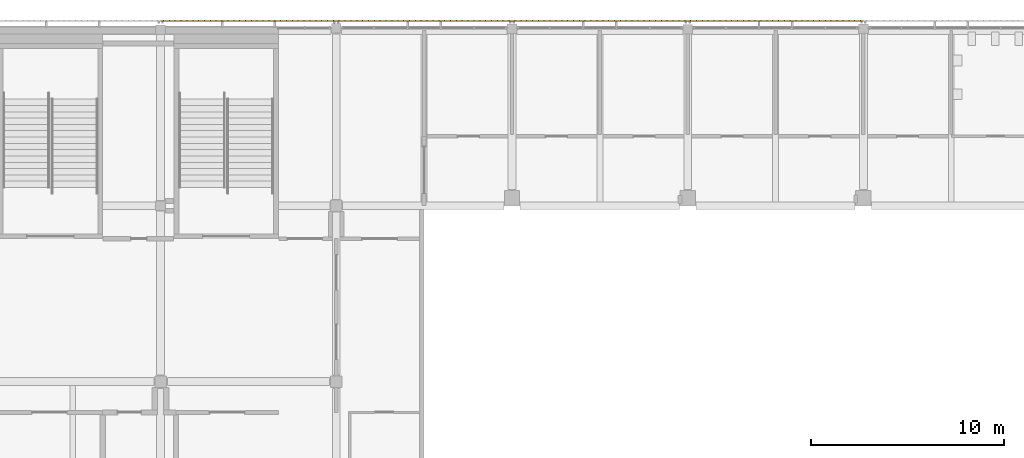
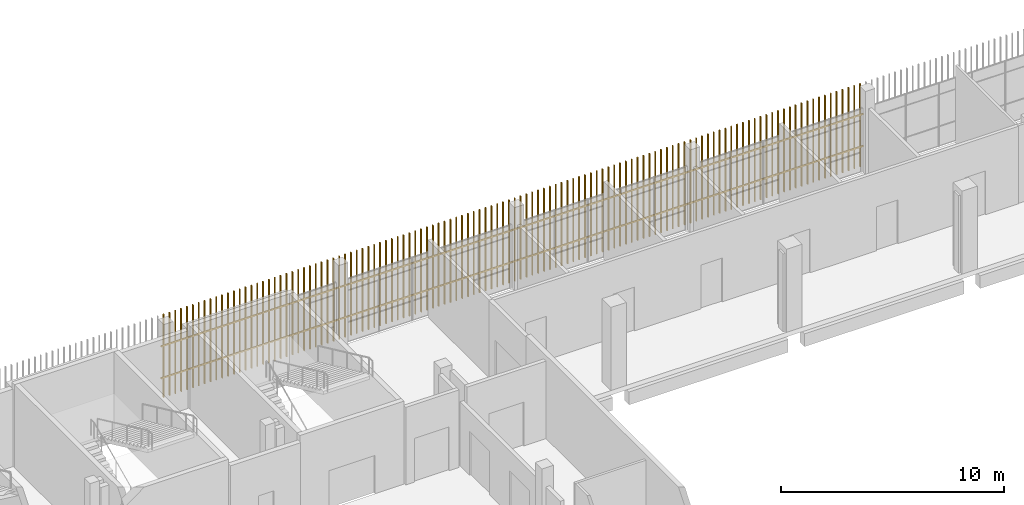
# One storey, part 113 of 124: 4 shading devices.
"""IFC4 building model written with IfcOpenShell, lengths in metres."""

import ifcopenshell
import ifcopenshell.guid

model = None  # the IFC model being written
_history = None  # IfcOwnerHistory: only IFC2X3 demands one
_inside = {}  # id of a spatial element -> (the spatial element, [elements in it])
_under = {}  # id of a project, library or spatial element -> (it, [spatial elements below it])
_declared = {}  # id of a project -> (the project, [libraries it declares])
_typed = {}  # id of a type object -> (the type object, [elements of that type])
_made_of = {}  # id of a material, layer set ... -> (it, [elements and type objects made of it])


def new_model(schema):
    """Start an empty IFC model of exactly this schema.

    Asked for "IFC4X3", IfcOpenShell would pick the latest addendum, in which some entities
    have other attributes; the version numbers below select the first issue.
    IFC2X3 requires an IfcOwnerHistory on every rooted entity: one is made here for all.
    """
    global model, _history
    if schema == "IFC4X3":
        model = ifcopenshell.file(schema_version=(4, 3, 0, 0))
    else:
        model = ifcopenshell.file(schema=schema)
    _inside.clear()
    _under.clear()
    _declared.clear()
    _typed.clear()
    _made_of.clear()
    _history = None
    if model.schema == "IFC2X3":
        org = make("IfcOrganization", Name="unknown")
        user = make(
            "IfcPersonAndOrganization",
            ThePerson=make("IfcPerson", FamilyName="unknown"),
            TheOrganization=org,
        )
        app = make(
            "IfcApplication",
            ApplicationDeveloper=org,
            Version="unknown",
            ApplicationFullName="unknown",
            ApplicationIdentifier="unknown",
        )
        _history = make(
            "IfcOwnerHistory",
            OwningUser=user,
            OwningApplication=app,
            ChangeAction="ADDED",
            CreationDate=0,
        )
    return model


def make(cls, **values):
    """One entity of the class cls with the attributes given. An attribute that is None is left unset."""
    return model.create_entity(
        cls, **{name: value for name, value in values.items() if value is not None}
    )


def rooted(cls, **values):
    """An entity with a GlobalId (a new one), such as an element, a storey or a relation."""
    return make(cls, GlobalId=ifcopenshell.guid.new(), OwnerHistory=_history, **values)


def si_unit(unit_type, name, prefix=None):
    """IfcSIUnit, for example si_unit("LENGTHUNIT", "METRE", prefix="MILLI")."""
    return make("IfcSIUnit", UnitType=unit_type, Prefix=prefix, Name=name)


def assignment(units):
    """IfcUnitAssignment: the units of a project."""
    return None if units is None else make("IfcUnitAssignment", Units=units)


def point(xyz):
    """IfcCartesianPoint."""
    return None if xyz is None else make("IfcCartesianPoint", Coordinates=xyz)


def direction(xyz):
    """IfcDirection."""
    return None if xyz is None else make("IfcDirection", DirectionRatios=xyz)


def frame(location, z_axis=None, x_axis=None):
    """IfcAxis2Placement3D, a coordinate frame: its origin and axes. An axis left out is left unset."""
    return make(
        "IfcAxis2Placement3D",
        Location=point(location),
        Axis=direction(z_axis),
        RefDirection=direction(x_axis),
    )


def frame_2d(location, x_axis=None):
    """IfcAxis2Placement2D, a coordinate frame in the plane: its origin and x axis."""
    return make(
        "IfcAxis2Placement2D", Location=point(location), RefDirection=direction(x_axis)
    )


def origin():
    """The frame at (0, 0, 0) with its axes left unset."""
    return frame((0.0, 0.0, 0.0))


def origin_2d():
    """The frame at (0, 0) in the plane with its x axis left unset."""
    return frame_2d((0.0, 0.0))


def place(relative_to, where):
    """IfcLocalPlacement: puts the frame where relative to a parent placement (None: the world)."""
    return make(
        "IfcLocalPlacement", PlacementRelTo=relative_to, RelativePlacement=where
    )


def context(
    kind, dimensions, precision=None, world=None, true_north=None, identifier=None
):
    """IfcGeometricRepresentationContext, for example the 3D "Model" context."""
    return make(
        "IfcGeometricRepresentationContext",
        ContextIdentifier=identifier,
        ContextType=kind,
        CoordinateSpaceDimension=dimensions,
        Precision=precision,
        WorldCoordinateSystem=world,
        TrueNorth=true_north,
    )


def subcontext(parent, identifier, kind, view, scale=None):
    """IfcGeometricRepresentationSubContext, for example "Body" below "Model"."""
    return make(
        "IfcGeometricRepresentationSubContext",
        ContextIdentifier=identifier,
        ContextType=kind,
        ParentContext=parent,
        TargetScale=scale,
        TargetView=view,
    )


def project(units=None, contexts=None):
    """IfcProject with its units and contexts."""
    return rooted(
        "IfcProject",
        Name="project",
        RepresentationContexts=contexts,
        UnitsInContext=assignment(units),
    )


def spatial(cls, under=None, at=None, **own):
    """A site, building, storey or space (cls), placed at a placement, below another one or the project."""
    s = rooted(cls, ObjectPlacement=at, **own)
    if under is not None:
        _under.setdefault(under.id(), (under, []))[1].append(s)
    return s


def profile(cls, at=None, kind="AREA", **sizes):
    """A parametric profile (cls). Its sizes go by their IFC names, for example OverallWidth=200.0."""
    return make(cls, ProfileType=kind, Position=at, **sizes)


def rectangle(**sizes):
    """IfcRectangleProfileDef."""
    return profile("IfcRectangleProfileDef", **sizes)


def extrude(swept, where, along, depth):
    """IfcExtrudedAreaSolid: the profile swept, set in the frame where, extruded along a direction by depth."""
    return make(
        "IfcExtrudedAreaSolid",
        SweptArea=swept,
        Position=where,
        ExtrudedDirection=direction(along),
        Depth=depth,
    )


def shape(context_of_items, identifier, shape_type, items):
    """IfcShapeRepresentation: the items that make up one representation, for example the "Body"."""
    return make(
        "IfcShapeRepresentation",
        ContextOfItems=context_of_items,
        RepresentationIdentifier=identifier,
        RepresentationType=shape_type,
        Items=items,
    )


def material(Name=None, Category=None):
    """IfcMaterial."""
    return make("IfcMaterial", Name=Name, Category=Category)


def made_of(thing, what):
    """Note that an element or type object is made of a material, layer set ...; save() writes the relation."""
    if what is not None:
        _made_of.setdefault(what.id(), (what, []))[1].append(thing)
    return thing


def type_object(cls, material=None, **own):
    """A type object (cls), such as IfcWallType, which elements share."""
    return made_of(rooted(cls, **own), material)


def element(
    cls,
    number,
    at=None,
    inside=None,
    cuts=None,
    type_object=None,
    material=None,
    context=None,
    identifier="Body",
    shape_type=None,
    held_by="IfcProductDefinitionShape",
    body=None,
    shapes=None,
    **own,
):
    """One element of the class cls, such as IfcWall. Its Tag is "e" and its number.

    at: its placement. inside: the storey or other place that contains it. cuts: it is an
    opening in that element (IfcRelVoidsElement). A single representation is given by context,
    identifier, shape_type and body (its items); several are given by shapes. held_by: the class
    of the entity that holds the representations. save() writes the other relations.
    """
    e = rooted(cls, Tag="e%d" % number, ObjectPlacement=at, **own)
    if body is not None:
        shapes = [shape(context, identifier, shape_type, body)]
    if shapes is not None:
        e.Representation = make(held_by, Representations=shapes)
    if inside is not None:
        _inside.setdefault(inside.id(), (inside, []))[1].append(e)
    if cuts is not None:
        rooted(
            "IfcRelVoidsElement", RelatingBuildingElement=cuts, RelatedOpeningElement=e
        )
    if type_object is not None:
        _typed.setdefault(type_object.id(), (type_object, []))[1].append(e)
    return made_of(e, material)


def aggregate(whole, parts):
    """IfcRelAggregates: a whole, such as a stair, and the parts it consists of."""
    return rooted("IfcRelAggregates", RelatingObject=whole, RelatedObjects=parts)


def save(model, path):
    """Write the relations noted so far, then the file.

    IfcRelAggregates (storeys below a building ...), IfcRelContainedInSpatialStructure (elements
    in a storey), IfcRelDefinesByType, IfcRelAssociatesMaterial and IfcRelDeclares: one each for
    every whole, place, type object, material and project.
    """
    for whole, parts in _under.values():
        aggregate(whole, parts)
    for where, things in _inside.values():
        rooted(
            "IfcRelContainedInSpatialStructure",
            RelatedElements=things,
            RelatingStructure=where,
        )
    for kind, things in _typed.values():
        rooted("IfcRelDefinesByType", RelatedObjects=things, RelatingType=kind)
    for what, things in _made_of.values():
        rooted("IfcRelAssociatesMaterial", RelatedObjects=things, RelatingMaterial=what)
    for by, libraries in _declared.values():
        rooted("IfcRelDeclares", RelatingContext=by, RelatedDefinitions=libraries)
    model.write(path)


model = new_model("IFC4")

# Units and contexts
model_context = context("Model", 3, precision=1e-05, world=origin(), true_north=direction((0.0, 1.0)))
body_context = subcontext(model_context, "Body", "Model", "MODEL_VIEW")
ifc_project = project(units=[si_unit("LENGTHUNIT", "METRE"), si_unit("AREAUNIT", "SQUARE_METRE"), si_unit("VOLUMEUNIT", "CUBIC_METRE"), si_unit("PLANEANGLEUNIT", "RADIAN"), si_unit("MASSUNIT", "GRAM", prefix="KILO")], contexts=[model_context])

# Site, building, storey
site_placement = place(None, origin())
site = spatial("IfcSite", under=ifc_project, at=site_placement, CompositionType="ELEMENT")
building_placement = place(site_placement, origin())
building = spatial("IfcBuilding", under=site, at=building_placement, Name="Shirokan Park Arena", CompositionType="ELEMENT")
storey_placement = place(building_placement, frame((0.0, 0.0, 20.02001953125)))
storey = spatial("IfcBuildingStorey", under=building, at=storey_placement, Name="L04", CompositionType="ELEMENT", Elevation=20.02001953125)

# Shading devices
ifc_material = material(Name="Timber louvre veil (cedar)", Category="wood")
shading_device_type = type_object("IfcShadingDeviceType", Name="Timber louvre veil panel", PredefinedType="JALOUSIE", material=ifc_material)
shading_device_1_placement = place(storey_placement, origin())
element("IfcShadingDevice", 1, at=shading_device_1_placement, inside=storey, type_object=shading_device_type, Name="Timber louvre veil north bay 10 L04", PredefinedType="JALOUSIE", context=body_context, shape_type="SweptSolid", body=[
    extrude(rectangle(XDim=0.050048828125, YDim=0.080078125, at=origin_2d()), frame((63.54833984375, 109.68505859375, 0.0), z_axis=(0.0, 0.0, 1.0), x_axis=(-1.0, 0.0, 0.0)), (0.0, 0.0, 1.0), 4.550048828125),
    extrude(rectangle(XDim=0.050048828125, YDim=0.080078125, at=origin_2d()), frame((63.2451171875, 109.68505859375, 0.0), z_axis=(0.0, 0.0, 1.0), x_axis=(-1.0, 0.0, 0.0)), (0.0, 0.0, 1.0), 4.550048828125),
    extrude(rectangle(XDim=0.050048828125, YDim=0.080078125, at=origin_2d()), frame((62.941650390625, 109.68505859375, 0.0), z_axis=(0.0, 0.0, 1.0), x_axis=(-1.0, 0.0, 0.0)), (0.0, 0.0, 1.0), 4.550048828125),
    extrude(rectangle(XDim=0.050048828125, YDim=0.080078125, at=origin_2d()), frame((62.638427734375, 109.68505859375, 0.0), z_axis=(0.0, 0.0, 1.0), x_axis=(-1.0, 0.0, 0.0)), (0.0, 0.0, 1.0), 4.550048828125),
    extrude(rectangle(XDim=0.050048828125, YDim=0.080078125, at=origin_2d()), frame((62.3349609375, 109.68505859375, 0.0), z_axis=(0.0, 0.0, 1.0), x_axis=(-1.0, 0.0, 0.0)), (0.0, 0.0, 1.0), 4.550048828125),
    extrude(rectangle(XDim=0.050048828125, YDim=0.080078125, at=origin_2d()), frame((62.03173828125, 109.68505859375, 0.0), z_axis=(0.0, 0.0, 1.0), x_axis=(-1.0, 0.0, 0.0)), (0.0, 0.0, 1.0), 4.550048828125),
    extrude(rectangle(XDim=0.050048828125, YDim=0.080078125, at=origin_2d()), frame((61.728271484375, 109.68505859375, 0.0), z_axis=(0.0, 0.0, 1.0), x_axis=(-1.0, 0.0, 0.0)), (0.0, 0.0, 1.0), 4.550048828125),
    extrude(rectangle(XDim=0.050048828125, YDim=0.080078125, at=origin_2d()), frame((61.425048828125, 109.68505859375, 0.0), z_axis=(0.0, 0.0, 1.0), x_axis=(-1.0, 0.0, 0.0)), (0.0, 0.0, 1.0), 4.550048828125),
    extrude(rectangle(XDim=0.050048828125, YDim=0.080078125, at=origin_2d()), frame((61.12158203125, 109.68505859375, 0.0), z_axis=(0.0, 0.0, 1.0), x_axis=(-1.0, 0.0, 0.0)), (0.0, 0.0, 1.0), 4.550048828125),
    extrude(rectangle(XDim=0.050048828125, YDim=0.080078125, at=origin_2d()), frame((60.818359375, 109.68505859375, 0.0), z_axis=(0.0, 0.0, 1.0), x_axis=(-1.0, 0.0, 0.0)), (0.0, 0.0, 1.0), 4.550048828125),
    extrude(rectangle(XDim=0.050048828125, YDim=0.080078125, at=origin_2d()), frame((60.514892578125, 109.68505859375, 0.0), z_axis=(0.0, 0.0, 1.0), x_axis=(-1.0, 0.0, 0.0)), (0.0, 0.0, 1.0), 4.550048828125),
    extrude(rectangle(XDim=0.050048828125, YDim=0.080078125, at=origin_2d()), frame((60.211669921875, 109.68505859375, 0.0), z_axis=(0.0, 0.0, 1.0), x_axis=(-1.0, 0.0, 0.0)), (0.0, 0.0, 1.0), 4.550048828125),
    extrude(rectangle(XDim=0.050048828125, YDim=0.080078125, at=origin_2d()), frame((59.908447265625, 109.68505859375, 0.0), z_axis=(0.0, 0.0, 1.0), x_axis=(-1.0, 0.0, 0.0)), (0.0, 0.0, 1.0), 4.550048828125),
    extrude(rectangle(XDim=0.050048828125, YDim=0.080078125, at=origin_2d()), frame((59.60498046875, 109.68505859375, 0.0), z_axis=(0.0, 0.0, 1.0), x_axis=(-1.0, 0.0, 0.0)), (0.0, 0.0, 1.0), 4.550048828125),
    extrude(rectangle(XDim=0.050048828125, YDim=0.080078125, at=origin_2d()), frame((59.3017578125, 109.68505859375, 0.0), z_axis=(0.0, 0.0, 1.0), x_axis=(-1.0, 0.0, 0.0)), (0.0, 0.0, 1.0), 4.550048828125),
    extrude(rectangle(XDim=0.050048828125, YDim=0.080078125, at=origin_2d()), frame((58.998291015625, 109.68505859375, 0.0), z_axis=(0.0, 0.0, 1.0), x_axis=(-1.0, 0.0, 0.0)), (0.0, 0.0, 1.0), 4.550048828125),
    extrude(rectangle(XDim=0.050048828125, YDim=0.080078125, at=origin_2d()), frame((58.695068359375, 109.68505859375, 0.0), z_axis=(0.0, 0.0, 1.0), x_axis=(-1.0, 0.0, 0.0)), (0.0, 0.0, 1.0), 4.550048828125),
    extrude(rectangle(XDim=0.050048828125, YDim=0.080078125, at=origin_2d()), frame((58.3916015625, 109.68505859375, 0.0), z_axis=(0.0, 0.0, 1.0), x_axis=(-1.0, 0.0, 0.0)), (0.0, 0.0, 1.0), 4.550048828125),
    extrude(rectangle(XDim=0.050048828125, YDim=0.080078125, at=origin_2d()), frame((58.08837890625, 109.68505859375, 0.0), z_axis=(0.0, 0.0, 1.0), x_axis=(-1.0, 0.0, 0.0)), (0.0, 0.0, 1.0), 4.550048828125),
    extrude(rectangle(XDim=0.050048828125, YDim=0.080078125, at=origin_2d()), frame((57.784912109375, 109.68505859375, 0.0), z_axis=(0.0, 0.0, 1.0), x_axis=(-1.0, 0.0, 0.0)), (0.0, 0.0, 1.0), 4.550048828125),
    extrude(rectangle(XDim=0.050048828125, YDim=0.080078125, at=origin_2d()), frame((57.481689453125, 109.68505859375, 0.0), z_axis=(0.0, 0.0, 1.0), x_axis=(-1.0, 0.0, 0.0)), (0.0, 0.0, 1.0), 4.550048828125),
    extrude(rectangle(XDim=0.050048828125, YDim=0.080078125, at=origin_2d()), frame((57.17822265625, 109.68505859375, 0.0), z_axis=(0.0, 0.0, 1.0), x_axis=(-1.0, 0.0, 0.0)), (0.0, 0.0, 1.0), 4.550048828125),
    extrude(rectangle(XDim=0.050048828125, YDim=0.080078125, at=origin_2d()), frame((56.875, 109.68505859375, 0.0), z_axis=(0.0, 0.0, 1.0), x_axis=(-1.0, 0.0, 0.0)), (0.0, 0.0, 1.0), 4.550048828125),
    extrude(rectangle(XDim=0.050048828125, YDim=0.080078125, at=origin_2d()), frame((56.57177734375, 109.68505859375, 0.0), z_axis=(0.0, 0.0, 1.0), x_axis=(-1.0, 0.0, 0.0)), (0.0, 0.0, 1.0), 4.550048828125),
    extrude(rectangle(XDim=0.050048828125, YDim=0.080078125, at=origin_2d()), frame((56.268310546875, 109.68505859375, 0.0), z_axis=(0.0, 0.0, 1.0), x_axis=(-1.0, 0.0, 0.0)), (0.0, 0.0, 1.0), 4.550048828125),
    extrude(rectangle(XDim=0.050048828125, YDim=0.080078125, at=origin_2d()), frame((55.965087890625, 109.68505859375, 0.0), z_axis=(0.0, 0.0, 1.0), x_axis=(-1.0, 0.0, 0.0)), (0.0, 0.0, 1.0), 4.550048828125),
    extrude(rectangle(XDim=0.050048828125, YDim=0.080078125, at=origin_2d()), frame((55.66162109375, 109.68505859375, 0.0), z_axis=(0.0, 0.0, 1.0), x_axis=(-1.0, 0.0, 0.0)), (0.0, 0.0, 1.0), 4.550048828125),
    extrude(rectangle(XDim=0.050048828125, YDim=0.080078125, at=origin_2d()), frame((55.3583984375, 109.68505859375, 0.0), z_axis=(0.0, 0.0, 1.0), x_axis=(-1.0, 0.0, 0.0)), (0.0, 0.0, 1.0), 4.550048828125),
    extrude(rectangle(XDim=0.050048828125, YDim=0.080078125, at=origin_2d()), frame((55.054931640625, 109.68505859375, 0.0), z_axis=(0.0, 0.0, 1.0), x_axis=(-1.0, 0.0, 0.0)), (0.0, 0.0, 1.0), 4.550048828125),
    extrude(rectangle(XDim=0.050048828125, YDim=0.080078125, at=origin_2d()), frame((54.751708984375, 109.68505859375, 0.0), z_axis=(0.0, 0.0, 1.0), x_axis=(-1.0, 0.0, 0.0)), (0.0, 0.0, 1.0), 4.550048828125),
    extrude(rectangle(XDim=9.10009765625, YDim=0.050048828125, at=origin_2d()), frame((59.14990234375, 109.669921875, 1.06005859375), z_axis=(0.0, 0.0, 1.0), x_axis=(-1.0, 0.0, 0.0)), (0.0, 0.0, 1.0), 0.080078125),
    extrude(rectangle(XDim=9.10009765625, YDim=0.050048828125, at=origin_2d()), frame((59.14990234375, 109.669921875, 2.81005859375), z_axis=(0.0, 0.0, 1.0), x_axis=(-1.0, 0.0, 0.0)), (0.0, 0.0, 1.0), 0.080078125),
])
shading_device_2_placement = place(storey_placement, origin())
element("IfcShadingDevice", 2, at=shading_device_2_placement, inside=storey, type_object=shading_device_type, Name="Timber louvre veil north bay 11 L04", PredefinedType="JALOUSIE", context=body_context, shape_type="SweptSolid", body=[
    extrude(rectangle(XDim=0.050048828125, YDim=0.080078125, at=origin_2d()), frame((54.4482421875, 109.68505859375, 0.0), z_axis=(0.0, 0.0, 1.0), x_axis=(-1.0, 0.0, 0.0)), (0.0, 0.0, 1.0), 4.550048828125),
    extrude(rectangle(XDim=0.050048828125, YDim=0.080078125, at=origin_2d()), frame((54.14501953125, 109.68505859375, 0.0), z_axis=(0.0, 0.0, 1.0), x_axis=(-1.0, 0.0, 0.0)), (0.0, 0.0, 1.0), 4.550048828125),
    extrude(rectangle(XDim=0.050048828125, YDim=0.080078125, at=origin_2d()), frame((53.841552734375, 109.68505859375, 0.0), z_axis=(0.0, 0.0, 1.0), x_axis=(-1.0, 0.0, 0.0)), (0.0, 0.0, 1.0), 4.550048828125),
    extrude(rectangle(XDim=0.050048828125, YDim=0.080078125, at=origin_2d()), frame((53.538330078125, 109.68505859375, 0.0), z_axis=(0.0, 0.0, 1.0), x_axis=(-1.0, 0.0, 0.0)), (0.0, 0.0, 1.0), 4.550048828125),
    extrude(rectangle(XDim=0.050048828125, YDim=0.080078125, at=origin_2d()), frame((53.235107421875, 109.68505859375, 0.0), z_axis=(0.0, 0.0, 1.0), x_axis=(-1.0, 0.0, 0.0)), (0.0, 0.0, 1.0), 4.550048828125),
    extrude(rectangle(XDim=0.050048828125, YDim=0.080078125, at=origin_2d()), frame((52.931640625, 109.68505859375, 0.0), z_axis=(0.0, 0.0, 1.0), x_axis=(-1.0, 0.0, 0.0)), (0.0, 0.0, 1.0), 4.550048828125),
    extrude(rectangle(XDim=0.050048828125, YDim=0.080078125, at=origin_2d()), frame((52.62841796875, 109.68505859375, 0.0), z_axis=(0.0, 0.0, 1.0), x_axis=(-1.0, 0.0, 0.0)), (0.0, 0.0, 1.0), 4.550048828125),
    extrude(rectangle(XDim=0.050048828125, YDim=0.080078125, at=origin_2d()), frame((52.324951171875, 109.68505859375, 0.0), z_axis=(0.0, 0.0, 1.0), x_axis=(-1.0, 0.0, 0.0)), (0.0, 0.0, 1.0), 4.550048828125),
    extrude(rectangle(XDim=0.050048828125, YDim=0.080078125, at=origin_2d()), frame((52.021728515625, 109.68505859375, 0.0), z_axis=(0.0, 0.0, 1.0), x_axis=(-1.0, 0.0, 0.0)), (0.0, 0.0, 1.0), 4.550048828125),
    extrude(rectangle(XDim=0.050048828125, YDim=0.080078125, at=origin_2d()), frame((51.71826171875, 109.68505859375, 0.0), z_axis=(0.0, 0.0, 1.0), x_axis=(-1.0, 0.0, 0.0)), (0.0, 0.0, 1.0), 4.550048828125),
    extrude(rectangle(XDim=0.050048828125, YDim=0.080078125, at=origin_2d()), frame((51.4150390625, 109.68505859375, 0.0), z_axis=(0.0, 0.0, 1.0), x_axis=(-1.0, 0.0, 0.0)), (0.0, 0.0, 1.0), 4.550048828125),
    extrude(rectangle(XDim=0.050048828125, YDim=0.080078125, at=origin_2d()), frame((51.111572265625, 109.68505859375, 0.0), z_axis=(0.0, 0.0, 1.0), x_axis=(-1.0, 0.0, 0.0)), (0.0, 0.0, 1.0), 4.550048828125),
    extrude(rectangle(XDim=0.050048828125, YDim=0.080078125, at=origin_2d()), frame((50.808349609375, 109.68505859375, 0.0), z_axis=(0.0, 0.0, 1.0), x_axis=(-1.0, 0.0, 0.0)), (0.0, 0.0, 1.0), 4.550048828125),
    extrude(rectangle(XDim=0.050048828125, YDim=0.080078125, at=origin_2d()), frame((50.5048828125, 109.68505859375, 0.0), z_axis=(0.0, 0.0, 1.0), x_axis=(-1.0, 0.0, 0.0)), (0.0, 0.0, 1.0), 4.550048828125),
    extrude(rectangle(XDim=0.050048828125, YDim=0.080078125, at=origin_2d()), frame((50.20166015625, 109.68505859375, 0.0), z_axis=(0.0, 0.0, 1.0), x_axis=(-1.0, 0.0, 0.0)), (0.0, 0.0, 1.0), 4.550048828125),
    extrude(rectangle(XDim=0.050048828125, YDim=0.080078125, at=origin_2d()), frame((49.8984375, 109.68505859375, 0.0), z_axis=(0.0, 0.0, 1.0), x_axis=(-1.0, 0.0, 0.0)), (0.0, 0.0, 1.0), 4.550048828125),
    extrude(rectangle(XDim=0.050048828125, YDim=0.080078125, at=origin_2d()), frame((49.594970703125, 109.68505859375, 0.0), z_axis=(0.0, 0.0, 1.0), x_axis=(-1.0, 0.0, 0.0)), (0.0, 0.0, 1.0), 4.550048828125),
    extrude(rectangle(XDim=0.050048828125, YDim=0.080078125, at=origin_2d()), frame((49.291748046875, 109.68505859375, 0.0), z_axis=(0.0, 0.0, 1.0), x_axis=(-1.0, 0.0, 0.0)), (0.0, 0.0, 1.0), 4.550048828125),
    extrude(rectangle(XDim=0.050048828125, YDim=0.080078125, at=origin_2d()), frame((48.98828125, 109.68505859375, 0.0), z_axis=(0.0, 0.0, 1.0), x_axis=(-1.0, 0.0, 0.0)), (0.0, 0.0, 1.0), 4.550048828125),
    extrude(rectangle(XDim=0.050048828125, YDim=0.080078125, at=origin_2d()), frame((48.68505859375, 109.68505859375, 0.0), z_axis=(0.0, 0.0, 1.0), x_axis=(-1.0, 0.0, 0.0)), (0.0, 0.0, 1.0), 4.550048828125),
    extrude(rectangle(XDim=0.050048828125, YDim=0.080078125, at=origin_2d()), frame((48.381591796875, 109.68505859375, 0.0), z_axis=(0.0, 0.0, 1.0), x_axis=(-1.0, 0.0, 0.0)), (0.0, 0.0, 1.0), 4.550048828125),
    extrude(rectangle(XDim=0.050048828125, YDim=0.080078125, at=origin_2d()), frame((48.078369140625, 109.68505859375, 0.0), z_axis=(0.0, 0.0, 1.0), x_axis=(-1.0, 0.0, 0.0)), (0.0, 0.0, 1.0), 4.550048828125),
    extrude(rectangle(XDim=0.050048828125, YDim=0.080078125, at=origin_2d()), frame((47.77490234375, 109.68505859375, 0.0), z_axis=(0.0, 0.0, 1.0), x_axis=(-1.0, 0.0, 0.0)), (0.0, 0.0, 1.0), 4.550048828125),
    extrude(rectangle(XDim=0.050048828125, YDim=0.080078125, at=origin_2d()), frame((47.4716796875, 109.68505859375, 0.0), z_axis=(0.0, 0.0, 1.0), x_axis=(-1.0, 0.0, 0.0)), (0.0, 0.0, 1.0), 4.550048828125),
    extrude(rectangle(XDim=0.050048828125, YDim=0.080078125, at=origin_2d()), frame((47.168212890625, 109.68505859375, 0.0), z_axis=(0.0, 0.0, 1.0), x_axis=(-1.0, 0.0, 0.0)), (0.0, 0.0, 1.0), 4.550048828125),
    extrude(rectangle(XDim=0.050048828125, YDim=0.080078125, at=origin_2d()), frame((46.864990234375, 109.68505859375, 0.0), z_axis=(0.0, 0.0, 1.0), x_axis=(-1.0, 0.0, 0.0)), (0.0, 0.0, 1.0), 4.550048828125),
    extrude(rectangle(XDim=0.050048828125, YDim=0.080078125, at=origin_2d()), frame((46.561767578125, 109.68505859375, 0.0), z_axis=(0.0, 0.0, 1.0), x_axis=(-1.0, 0.0, 0.0)), (0.0, 0.0, 1.0), 4.550048828125),
    extrude(rectangle(XDim=0.050048828125, YDim=0.080078125, at=origin_2d()), frame((46.25830078125, 109.68505859375, 0.0), z_axis=(0.0, 0.0, 1.0), x_axis=(-1.0, 0.0, 0.0)), (0.0, 0.0, 1.0), 4.550048828125),
    extrude(rectangle(XDim=0.050048828125, YDim=0.080078125, at=origin_2d()), frame((45.955078125, 109.68505859375, 0.0), z_axis=(0.0, 0.0, 1.0), x_axis=(-1.0, 0.0, 0.0)), (0.0, 0.0, 1.0), 4.550048828125),
    extrude(rectangle(XDim=0.050048828125, YDim=0.080078125, at=origin_2d()), frame((45.651611328125, 109.68505859375, 0.0), z_axis=(0.0, 0.0, 1.0), x_axis=(-1.0, 0.0, 0.0)), (0.0, 0.0, 1.0), 4.550048828125),
    extrude(rectangle(XDim=9.10009765625, YDim=0.050048828125, at=origin_2d()), frame((50.050048828125, 109.669921875, 1.06005859375), z_axis=(0.0, 0.0, 1.0), x_axis=(-1.0, 0.0, 0.0)), (0.0, 0.0, 1.0), 0.080078125),
    extrude(rectangle(XDim=9.10009765625, YDim=0.050048828125, at=origin_2d()), frame((50.050048828125, 109.669921875, 2.81005859375), z_axis=(0.0, 0.0, 1.0), x_axis=(-1.0, 0.0, 0.0)), (0.0, 0.0, 1.0), 0.080078125),
])
shading_device_3_placement = place(storey_placement, origin())
element("IfcShadingDevice", 3, at=shading_device_3_placement, inside=storey, type_object=shading_device_type, Name="Timber louvre veil north bay 12 L04", PredefinedType="JALOUSIE", context=body_context, shape_type="SweptSolid", body=[
    extrude(rectangle(XDim=0.050048828125, YDim=0.080078125, at=origin_2d()), frame((45.348388671875, 109.68505859375, 0.0), z_axis=(0.0, 0.0, 1.0), x_axis=(-1.0, 0.0, 0.0)), (0.0, 0.0, 1.0), 4.550048828125),
    extrude(rectangle(XDim=0.050048828125, YDim=0.080078125, at=origin_2d()), frame((45.044921875, 109.68505859375, 0.0), z_axis=(0.0, 0.0, 1.0), x_axis=(-1.0, 0.0, 0.0)), (0.0, 0.0, 1.0), 4.550048828125),
    extrude(rectangle(XDim=0.050048828125, YDim=0.080078125, at=origin_2d()), frame((44.74169921875, 109.68505859375, 0.0), z_axis=(0.0, 0.0, 1.0), x_axis=(-1.0, 0.0, 0.0)), (0.0, 0.0, 1.0), 4.550048828125),
    extrude(rectangle(XDim=0.050048828125, YDim=0.080078125, at=origin_2d()), frame((44.438232421875, 109.68505859375, 0.0), z_axis=(0.0, 0.0, 1.0), x_axis=(-1.0, 0.0, 0.0)), (0.0, 0.0, 1.0), 4.550048828125),
    extrude(rectangle(XDim=0.050048828125, YDim=0.080078125, at=origin_2d()), frame((44.135009765625, 109.68505859375, 0.0), z_axis=(0.0, 0.0, 1.0), x_axis=(-1.0, 0.0, 0.0)), (0.0, 0.0, 1.0), 4.550048828125),
    extrude(rectangle(XDim=0.050048828125, YDim=0.080078125, at=origin_2d()), frame((43.831787109375, 109.68505859375, 0.0), z_axis=(0.0, 0.0, 1.0), x_axis=(-1.0, 0.0, 0.0)), (0.0, 0.0, 1.0), 4.550048828125),
    extrude(rectangle(XDim=0.050048828125, YDim=0.080078125, at=origin_2d()), frame((43.5283203125, 109.68505859375, 0.0), z_axis=(0.0, 0.0, 1.0), x_axis=(-1.0, 0.0, 0.0)), (0.0, 0.0, 1.0), 4.550048828125),
    extrude(rectangle(XDim=0.050048828125, YDim=0.080078125, at=origin_2d()), frame((43.22509765625, 109.68505859375, 0.0), z_axis=(0.0, 0.0, 1.0), x_axis=(-1.0, 0.0, 0.0)), (0.0, 0.0, 1.0), 4.550048828125),
    extrude(rectangle(XDim=0.050048828125, YDim=0.080078125, at=origin_2d()), frame((42.921630859375, 109.68505859375, 0.0), z_axis=(0.0, 0.0, 1.0), x_axis=(-1.0, 0.0, 0.0)), (0.0, 0.0, 1.0), 4.550048828125),
    extrude(rectangle(XDim=0.050048828125, YDim=0.080078125, at=origin_2d()), frame((42.618408203125, 109.68505859375, 0.0), z_axis=(0.0, 0.0, 1.0), x_axis=(-1.0, 0.0, 0.0)), (0.0, 0.0, 1.0), 4.550048828125),
    extrude(rectangle(XDim=0.050048828125, YDim=0.080078125, at=origin_2d()), frame((42.31494140625, 109.68505859375, 0.0), z_axis=(0.0, 0.0, 1.0), x_axis=(-1.0, 0.0, 0.0)), (0.0, 0.0, 1.0), 4.550048828125),
    extrude(rectangle(XDim=0.050048828125, YDim=0.080078125, at=origin_2d()), frame((42.01171875, 109.68505859375, 0.0), z_axis=(0.0, 0.0, 1.0), x_axis=(-1.0, 0.0, 0.0)), (0.0, 0.0, 1.0), 4.550048828125),
    extrude(rectangle(XDim=0.050048828125, YDim=0.080078125, at=origin_2d()), frame((41.708251953125, 109.68505859375, 0.0), z_axis=(0.0, 0.0, 1.0), x_axis=(-1.0, 0.0, 0.0)), (0.0, 0.0, 1.0), 4.550048828125),
    extrude(rectangle(XDim=0.050048828125, YDim=0.080078125, at=origin_2d()), frame((41.405029296875, 109.68505859375, 0.0), z_axis=(0.0, 0.0, 1.0), x_axis=(-1.0, 0.0, 0.0)), (0.0, 0.0, 1.0), 4.550048828125),
    extrude(rectangle(XDim=0.050048828125, YDim=0.080078125, at=origin_2d()), frame((41.1015625, 109.68505859375, 0.0), z_axis=(0.0, 0.0, 1.0), x_axis=(-1.0, 0.0, 0.0)), (0.0, 0.0, 1.0), 4.550048828125),
    extrude(rectangle(XDim=0.050048828125, YDim=0.080078125, at=origin_2d()), frame((40.79833984375, 109.68505859375, 0.0), z_axis=(0.0, 0.0, 1.0), x_axis=(-1.0, 0.0, 0.0)), (0.0, 0.0, 1.0), 4.550048828125),
    extrude(rectangle(XDim=0.050048828125, YDim=0.080078125, at=origin_2d()), frame((40.4951171875, 109.68505859375, 0.0), z_axis=(0.0, 0.0, 1.0), x_axis=(-1.0, 0.0, 0.0)), (0.0, 0.0, 1.0), 4.550048828125),
    extrude(rectangle(XDim=0.050048828125, YDim=0.080078125, at=origin_2d()), frame((40.191650390625, 109.68505859375, 0.0), z_axis=(0.0, 0.0, 1.0), x_axis=(-1.0, 0.0, 0.0)), (0.0, 0.0, 1.0), 4.550048828125),
    extrude(rectangle(XDim=0.050048828125, YDim=0.080078125, at=origin_2d()), frame((39.888427734375, 109.68505859375, 0.0), z_axis=(0.0, 0.0, 1.0), x_axis=(-1.0, 0.0, 0.0)), (0.0, 0.0, 1.0), 4.550048828125),
    extrude(rectangle(XDim=0.050048828125, YDim=0.080078125, at=origin_2d()), frame((39.5849609375, 109.68505859375, 0.0), z_axis=(0.0, 0.0, 1.0), x_axis=(-1.0, 0.0, 0.0)), (0.0, 0.0, 1.0), 4.550048828125),
    extrude(rectangle(XDim=0.050048828125, YDim=0.080078125, at=origin_2d()), frame((39.28173828125, 109.68505859375, 0.0), z_axis=(0.0, 0.0, 1.0), x_axis=(-1.0, 0.0, 0.0)), (0.0, 0.0, 1.0), 4.550048828125),
    extrude(rectangle(XDim=0.050048828125, YDim=0.080078125, at=origin_2d()), frame((38.978271484375, 109.68505859375, 0.0), z_axis=(0.0, 0.0, 1.0), x_axis=(-1.0, 0.0, 0.0)), (0.0, 0.0, 1.0), 4.550048828125),
    extrude(rectangle(XDim=0.050048828125, YDim=0.080078125, at=origin_2d()), frame((38.675048828125, 109.68505859375, 0.0), z_axis=(0.0, 0.0, 1.0), x_axis=(-1.0, 0.0, 0.0)), (0.0, 0.0, 1.0), 4.550048828125),
    extrude(rectangle(XDim=0.050048828125, YDim=0.080078125, at=origin_2d()), frame((38.37158203125, 109.68505859375, 0.0), z_axis=(0.0, 0.0, 1.0), x_axis=(-1.0, 0.0, 0.0)), (0.0, 0.0, 1.0), 4.550048828125),
    extrude(rectangle(XDim=0.050048828125, YDim=0.080078125, at=origin_2d()), frame((38.068359375, 109.68505859375, 0.0), z_axis=(0.0, 0.0, 1.0), x_axis=(-1.0, 0.0, 0.0)), (0.0, 0.0, 1.0), 4.550048828125),
    extrude(rectangle(XDim=0.050048828125, YDim=0.080078125, at=origin_2d()), frame((37.764892578125, 109.68505859375, 0.0), z_axis=(0.0, 0.0, 1.0), x_axis=(-1.0, 0.0, 0.0)), (0.0, 0.0, 1.0), 4.550048828125),
    extrude(rectangle(XDim=0.050048828125, YDim=0.080078125, at=origin_2d()), frame((37.461669921875, 109.68505859375, 0.0), z_axis=(0.0, 0.0, 1.0), x_axis=(-1.0, 0.0, 0.0)), (0.0, 0.0, 1.0), 4.550048828125),
    extrude(rectangle(XDim=0.050048828125, YDim=0.080078125, at=origin_2d()), frame((37.158447265625, 109.68505859375, 0.0), z_axis=(0.0, 0.0, 1.0), x_axis=(-1.0, 0.0, 0.0)), (0.0, 0.0, 1.0), 4.550048828125),
    extrude(rectangle(XDim=0.050048828125, YDim=0.080078125, at=origin_2d()), frame((36.85498046875, 109.68505859375, 0.0), z_axis=(0.0, 0.0, 1.0), x_axis=(-1.0, 0.0, 0.0)), (0.0, 0.0, 1.0), 4.550048828125),
    extrude(rectangle(XDim=0.050048828125, YDim=0.080078125, at=origin_2d()), frame((36.5517578125, 109.68505859375, 0.0), z_axis=(0.0, 0.0, 1.0), x_axis=(-1.0, 0.0, 0.0)), (0.0, 0.0, 1.0), 4.550048828125),
    extrude(rectangle(XDim=9.10009765625, YDim=0.050048828125, at=origin_2d()), frame((40.949951171875, 109.669921875, 1.06005859375), z_axis=(0.0, 0.0, 1.0), x_axis=(-1.0, 0.0, 0.0)), (0.0, 0.0, 1.0), 0.080078125),
    extrude(rectangle(XDim=9.10009765625, YDim=0.050048828125, at=origin_2d()), frame((40.949951171875, 109.669921875, 2.81005859375), z_axis=(0.0, 0.0, 1.0), x_axis=(-1.0, 0.0, 0.0)), (0.0, 0.0, 1.0), 0.080078125),
])
shading_device_4_placement = place(storey_placement, origin())
element("IfcShadingDevice", 4, at=shading_device_4_placement, inside=storey, type_object=shading_device_type, Name="Timber louvre veil north bay 13 L04", PredefinedType="JALOUSIE", context=body_context, shape_type="SweptSolid", body=[
    extrude(rectangle(XDim=0.050048828125, YDim=0.080078125, at=origin_2d()), frame((36.248291015625, 109.68505859375, 0.0), z_axis=(0.0, 0.0, 1.0), x_axis=(-1.0, 0.0, 0.0)), (0.0, 0.0, 1.0), 4.550048828125),
    extrude(rectangle(XDim=0.050048828125, YDim=0.080078125, at=origin_2d()), frame((35.945068359375, 109.68505859375, 0.0), z_axis=(0.0, 0.0, 1.0), x_axis=(-1.0, 0.0, 0.0)), (0.0, 0.0, 1.0), 4.550048828125),
    extrude(rectangle(XDim=0.050048828125, YDim=0.080078125, at=origin_2d()), frame((35.6416015625, 109.68505859375, 0.0), z_axis=(0.0, 0.0, 1.0), x_axis=(-1.0, 0.0, 0.0)), (0.0, 0.0, 1.0), 4.550048828125),
    extrude(rectangle(XDim=0.050048828125, YDim=0.080078125, at=origin_2d()), frame((35.33837890625, 109.68505859375, 0.0), z_axis=(0.0, 0.0, 1.0), x_axis=(-1.0, 0.0, 0.0)), (0.0, 0.0, 1.0), 4.550048828125),
    extrude(rectangle(XDim=0.050048828125, YDim=0.080078125, at=origin_2d()), frame((35.034912109375, 109.68505859375, 0.0), z_axis=(0.0, 0.0, 1.0), x_axis=(-1.0, 0.0, 0.0)), (0.0, 0.0, 1.0), 4.550048828125),
    extrude(rectangle(XDim=0.050048828125, YDim=0.080078125, at=origin_2d()), frame((34.731689453125, 109.68505859375, 0.0), z_axis=(0.0, 0.0, 1.0), x_axis=(-1.0, 0.0, 0.0)), (0.0, 0.0, 1.0), 4.550048828125),
    extrude(rectangle(XDim=0.050048828125, YDim=0.080078125, at=origin_2d()), frame((34.42822265625, 109.68505859375, 0.0), z_axis=(0.0, 0.0, 1.0), x_axis=(-1.0, 0.0, 0.0)), (0.0, 0.0, 1.0), 4.550048828125),
    extrude(rectangle(XDim=0.050048828125, YDim=0.080078125, at=origin_2d()), frame((34.125, 109.68505859375, 0.0), z_axis=(0.0, 0.0, 1.0), x_axis=(-1.0, 0.0, 0.0)), (0.0, 0.0, 1.0), 4.550048828125),
    extrude(rectangle(XDim=0.050048828125, YDim=0.080078125, at=origin_2d()), frame((33.82177734375, 109.68505859375, 0.0), z_axis=(0.0, 0.0, 1.0), x_axis=(-1.0, 0.0, 0.0)), (0.0, 0.0, 1.0), 4.550048828125),
    extrude(rectangle(XDim=0.050048828125, YDim=0.080078125, at=origin_2d()), frame((33.518310546875, 109.68505859375, 0.0), z_axis=(0.0, 0.0, 1.0), x_axis=(-1.0, 0.0, 0.0)), (0.0, 0.0, 1.0), 4.550048828125),
    extrude(rectangle(XDim=0.050048828125, YDim=0.080078125, at=origin_2d()), frame((33.215087890625, 109.68505859375, 0.0), z_axis=(0.0, 0.0, 1.0), x_axis=(-1.0, 0.0, 0.0)), (0.0, 0.0, 1.0), 4.550048828125),
    extrude(rectangle(XDim=0.050048828125, YDim=0.080078125, at=origin_2d()), frame((32.91162109375, 109.68505859375, 0.0), z_axis=(0.0, 0.0, 1.0), x_axis=(-1.0, 0.0, 0.0)), (0.0, 0.0, 1.0), 4.550048828125),
    extrude(rectangle(XDim=0.050048828125, YDim=0.080078125, at=origin_2d()), frame((32.6083984375, 109.68505859375, 0.0), z_axis=(0.0, 0.0, 1.0), x_axis=(-1.0, 0.0, 0.0)), (0.0, 0.0, 1.0), 4.550048828125),
    extrude(rectangle(XDim=0.050048828125, YDim=0.080078125, at=origin_2d()), frame((32.304931640625, 109.68505859375, 0.0), z_axis=(0.0, 0.0, 1.0), x_axis=(-1.0, 0.0, 0.0)), (0.0, 0.0, 1.0), 4.550048828125),
    extrude(rectangle(XDim=0.050048828125, YDim=0.080078125, at=origin_2d()), frame((32.001708984375, 109.68505859375, 0.0), z_axis=(0.0, 0.0, 1.0), x_axis=(-1.0, 0.0, 0.0)), (0.0, 0.0, 1.0), 4.550048828125),
    extrude(rectangle(XDim=0.050048828125, YDim=0.080078125, at=origin_2d()), frame((31.6982421875, 109.68505859375, 0.0), z_axis=(0.0, 0.0, 1.0), x_axis=(-1.0, 0.0, 0.0)), (0.0, 0.0, 1.0), 4.550048828125),
    extrude(rectangle(XDim=0.050048828125, YDim=0.080078125, at=origin_2d()), frame((31.39501953125, 109.68505859375, 0.0), z_axis=(0.0, 0.0, 1.0), x_axis=(-1.0, 0.0, 0.0)), (0.0, 0.0, 1.0), 4.550048828125),
    extrude(rectangle(XDim=0.050048828125, YDim=0.080078125, at=origin_2d()), frame((31.091552734375, 109.68505859375, 0.0), z_axis=(0.0, 0.0, 1.0), x_axis=(-1.0, 0.0, 0.0)), (0.0, 0.0, 1.0), 4.550048828125),
    extrude(rectangle(XDim=0.050048828125, YDim=0.080078125, at=origin_2d()), frame((30.788330078125, 109.68505859375, 0.0), z_axis=(0.0, 0.0, 1.0), x_axis=(-1.0, 0.0, 0.0)), (0.0, 0.0, 1.0), 4.550048828125),
    extrude(rectangle(XDim=0.050048828125, YDim=0.080078125, at=origin_2d()), frame((30.485107421875, 109.68505859375, 0.0), z_axis=(0.0, 0.0, 1.0), x_axis=(-1.0, 0.0, 0.0)), (0.0, 0.0, 1.0), 4.550048828125),
    extrude(rectangle(XDim=0.050048828125, YDim=0.080078125, at=origin_2d()), frame((30.181640625, 109.68505859375, 0.0), z_axis=(0.0, 0.0, 1.0), x_axis=(-1.0, 0.0, 0.0)), (0.0, 0.0, 1.0), 4.550048828125),
    extrude(rectangle(XDim=0.050048828125, YDim=0.080078125, at=origin_2d()), frame((29.87841796875, 109.68505859375, 0.0), z_axis=(0.0, 0.0, 1.0), x_axis=(-1.0, 0.0, 0.0)), (0.0, 0.0, 1.0), 4.550048828125),
    extrude(rectangle(XDim=0.050048828125, YDim=0.080078125, at=origin_2d()), frame((29.574951171875, 109.68505859375, 0.0), z_axis=(0.0, 0.0, 1.0), x_axis=(-1.0, 0.0, 0.0)), (0.0, 0.0, 1.0), 4.550048828125),
    extrude(rectangle(XDim=0.050048828125, YDim=0.080078125, at=origin_2d()), frame((29.271728515625, 109.68505859375, 0.0), z_axis=(0.0, 0.0, 1.0), x_axis=(-1.0, 0.0, 0.0)), (0.0, 0.0, 1.0), 4.550048828125),
    extrude(rectangle(XDim=0.050048828125, YDim=0.080078125, at=origin_2d()), frame((28.96826171875, 109.68505859375, 0.0), z_axis=(0.0, 0.0, 1.0), x_axis=(-1.0, 0.0, 0.0)), (0.0, 0.0, 1.0), 4.550048828125),
    extrude(rectangle(XDim=0.050048828125, YDim=0.080078125, at=origin_2d()), frame((28.6650390625, 109.68505859375, 0.0), z_axis=(0.0, 0.0, 1.0), x_axis=(-1.0, 0.0, 0.0)), (0.0, 0.0, 1.0), 4.550048828125),
    extrude(rectangle(XDim=0.050048828125, YDim=0.080078125, at=origin_2d()), frame((28.361572265625, 109.68505859375, 0.0), z_axis=(0.0, 0.0, 1.0), x_axis=(-1.0, 0.0, 0.0)), (0.0, 0.0, 1.0), 4.550048828125),
    extrude(rectangle(XDim=0.050048828125, YDim=0.080078125, at=origin_2d()), frame((28.058349609375, 109.68505859375, 0.0), z_axis=(0.0, 0.0, 1.0), x_axis=(-1.0, 0.0, 0.0)), (0.0, 0.0, 1.0), 4.550048828125),
    extrude(rectangle(XDim=0.050048828125, YDim=0.080078125, at=origin_2d()), frame((27.7548828125, 109.68505859375, 0.0), z_axis=(0.0, 0.0, 1.0), x_axis=(-1.0, 0.0, 0.0)), (0.0, 0.0, 1.0), 4.550048828125),
    extrude(rectangle(XDim=0.050048828125, YDim=0.080078125, at=origin_2d()), frame((27.45166015625, 109.68505859375, 0.0), z_axis=(0.0, 0.0, 1.0), x_axis=(-1.0, 0.0, 0.0)), (0.0, 0.0, 1.0), 4.550048828125),
    extrude(rectangle(XDim=9.10009765625, YDim=0.050048828125, at=origin_2d()), frame((31.85009765625, 109.669921875, 1.06005859375), z_axis=(0.0, 0.0, 1.0), x_axis=(-1.0, 0.0, 0.0)), (0.0, 0.0, 1.0), 0.080078125),
    extrude(rectangle(XDim=9.10009765625, YDim=0.050048828125, at=origin_2d()), frame((31.85009765625, 109.669921875, 2.81005859375), z_axis=(0.0, 0.0, 1.0), x_axis=(-1.0, 0.0, 0.0)), (0.0, 0.0, 1.0), 0.080078125),
])

save(model, "model.ifc")
